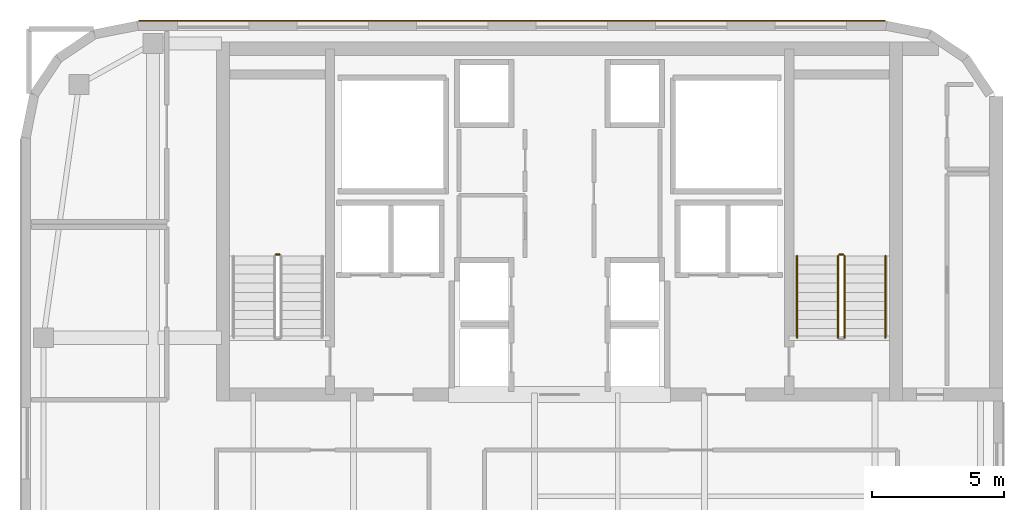
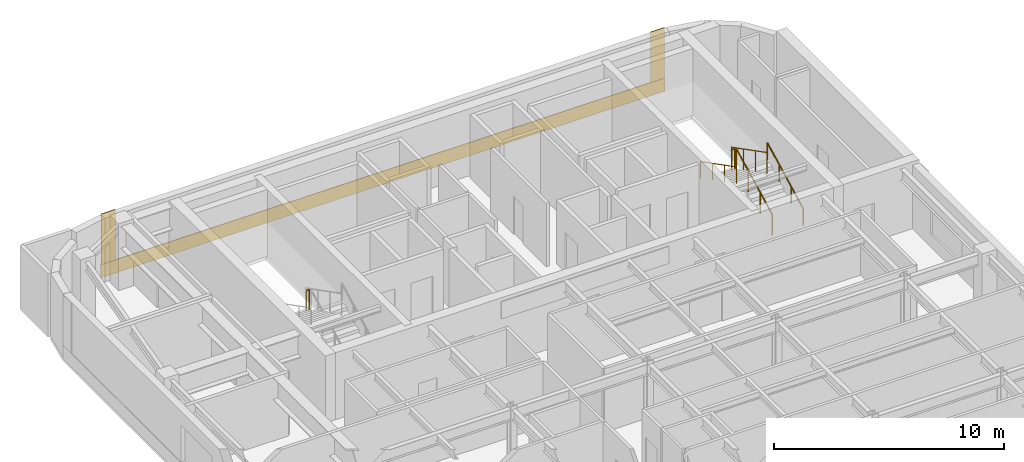
# One storey, part 12 of 12: 6 railings, 3 coverings.
"""IFC4 building model written with IfcOpenShell, lengths in metres."""

import ifcopenshell
import ifcopenshell.guid

model = None  # the IFC model being written
_history = None  # IfcOwnerHistory: only IFC2X3 demands one
_inside = {}  # id of a spatial element -> (the spatial element, [elements in it])
_under = {}  # id of a project, library or spatial element -> (it, [spatial elements below it])
_declared = {}  # id of a project -> (the project, [libraries it declares])
_typed = {}  # id of a type object -> (the type object, [elements of that type])
_made_of = {}  # id of a material, layer set ... -> (it, [elements and type objects made of it])


def new_model(schema):
    """Start an empty IFC model of exactly this schema.

    Asked for "IFC4X3", IfcOpenShell would pick the latest addendum, in which some entities
    have other attributes; the version numbers below select the first issue.
    IFC2X3 requires an IfcOwnerHistory on every rooted entity: one is made here for all.
    """
    global model, _history
    if schema == "IFC4X3":
        model = ifcopenshell.file(schema_version=(4, 3, 0, 0))
    else:
        model = ifcopenshell.file(schema=schema)
    _inside.clear()
    _under.clear()
    _declared.clear()
    _typed.clear()
    _made_of.clear()
    _history = None
    if model.schema == "IFC2X3":
        org = make("IfcOrganization", Name="unknown")
        user = make(
            "IfcPersonAndOrganization",
            ThePerson=make("IfcPerson", FamilyName="unknown"),
            TheOrganization=org,
        )
        app = make(
            "IfcApplication",
            ApplicationDeveloper=org,
            Version="unknown",
            ApplicationFullName="unknown",
            ApplicationIdentifier="unknown",
        )
        _history = make(
            "IfcOwnerHistory",
            OwningUser=user,
            OwningApplication=app,
            ChangeAction="ADDED",
            CreationDate=0,
        )
    return model


def make(cls, **values):
    """One entity of the class cls with the attributes given. An attribute that is None is left unset."""
    return model.create_entity(
        cls, **{name: value for name, value in values.items() if value is not None}
    )


def rooted(cls, **values):
    """An entity with a GlobalId (a new one), such as an element, a storey or a relation."""
    return make(cls, GlobalId=ifcopenshell.guid.new(), OwnerHistory=_history, **values)


def si_unit(unit_type, name, prefix=None):
    """IfcSIUnit, for example si_unit("LENGTHUNIT", "METRE", prefix="MILLI")."""
    return make("IfcSIUnit", UnitType=unit_type, Prefix=prefix, Name=name)


def assignment(units):
    """IfcUnitAssignment: the units of a project."""
    return None if units is None else make("IfcUnitAssignment", Units=units)


def point(xyz):
    """IfcCartesianPoint."""
    return None if xyz is None else make("IfcCartesianPoint", Coordinates=xyz)


def direction(xyz):
    """IfcDirection."""
    return None if xyz is None else make("IfcDirection", DirectionRatios=xyz)


def frame(location, z_axis=None, x_axis=None):
    """IfcAxis2Placement3D, a coordinate frame: its origin and axes. An axis left out is left unset."""
    return make(
        "IfcAxis2Placement3D",
        Location=point(location),
        Axis=direction(z_axis),
        RefDirection=direction(x_axis),
    )


def frame_2d(location, x_axis=None):
    """IfcAxis2Placement2D, a coordinate frame in the plane: its origin and x axis."""
    return make(
        "IfcAxis2Placement2D", Location=point(location), RefDirection=direction(x_axis)
    )


def origin():
    """The frame at (0, 0, 0) with its axes left unset."""
    return frame((0.0, 0.0, 0.0))


def origin_2d():
    """The frame at (0, 0) in the plane with its x axis left unset."""
    return frame_2d((0.0, 0.0))


def place(relative_to, where):
    """IfcLocalPlacement: puts the frame where relative to a parent placement (None: the world)."""
    return make(
        "IfcLocalPlacement", PlacementRelTo=relative_to, RelativePlacement=where
    )


def context(
    kind, dimensions, precision=None, world=None, true_north=None, identifier=None
):
    """IfcGeometricRepresentationContext, for example the 3D "Model" context."""
    return make(
        "IfcGeometricRepresentationContext",
        ContextIdentifier=identifier,
        ContextType=kind,
        CoordinateSpaceDimension=dimensions,
        Precision=precision,
        WorldCoordinateSystem=world,
        TrueNorth=true_north,
    )


def subcontext(parent, identifier, kind, view, scale=None):
    """IfcGeometricRepresentationSubContext, for example "Body" below "Model"."""
    return make(
        "IfcGeometricRepresentationSubContext",
        ContextIdentifier=identifier,
        ContextType=kind,
        ParentContext=parent,
        TargetScale=scale,
        TargetView=view,
    )


def project(units=None, contexts=None):
    """IfcProject with its units and contexts."""
    return rooted(
        "IfcProject",
        Name="project",
        RepresentationContexts=contexts,
        UnitsInContext=assignment(units),
    )


def spatial(cls, under=None, at=None, **own):
    """A site, building, storey or space (cls), placed at a placement, below another one or the project."""
    s = rooted(cls, ObjectPlacement=at, **own)
    if under is not None:
        _under.setdefault(under.id(), (under, []))[1].append(s)
    return s


def polyline(points):
    """IfcPolyline through the points."""
    return make("IfcPolyline", Points=[point(p) for p in points])


def profile(cls, at=None, kind="AREA", **sizes):
    """A parametric profile (cls). Its sizes go by their IFC names, for example OverallWidth=200.0."""
    return make(cls, ProfileType=kind, Position=at, **sizes)


def circle(**sizes):
    """IfcCircleProfileDef."""
    return profile("IfcCircleProfileDef", **sizes)


def outline(outer, holes=None, kind="AREA"):
    """IfcArbitraryClosedProfileDef: a profile drawn as a closed curve; with holes, ...WithVoids."""
    if holes is None:
        return make("IfcArbitraryClosedProfileDef", ProfileType=kind, OuterCurve=outer)
    return make(
        "IfcArbitraryProfileDefWithVoids",
        ProfileType=kind,
        OuterCurve=outer,
        InnerCurves=holes,
    )


def extrude(swept, where, along, depth):
    """IfcExtrudedAreaSolid: the profile swept, set in the frame where, extruded along a direction by depth."""
    return make(
        "IfcExtrudedAreaSolid",
        SweptArea=swept,
        Position=where,
        ExtrudedDirection=direction(along),
        Depth=depth,
    )


def shape(context_of_items, identifier, shape_type, items):
    """IfcShapeRepresentation: the items that make up one representation, for example the "Body"."""
    return make(
        "IfcShapeRepresentation",
        ContextOfItems=context_of_items,
        RepresentationIdentifier=identifier,
        RepresentationType=shape_type,
        Items=items,
    )


def material(Name=None, Category=None):
    """IfcMaterial."""
    return make("IfcMaterial", Name=Name, Category=Category)


def layer(
    of_material, thickness, ventilated=None, Name=None, Category=None, Priority=None
):
    """IfcMaterialLayer: one layer of a wall or slab, of a material (None: an air gap)."""
    return make(
        "IfcMaterialLayer",
        Material=of_material,
        LayerThickness=thickness,
        IsVentilated=ventilated,
        Name=Name,
        Category=Category,
        Priority=Priority,
    )


def layer_set(layers, Name=None):
    """IfcMaterialLayerSet."""
    return make("IfcMaterialLayerSet", MaterialLayers=layers, LayerSetName=Name)


def made_of(thing, what):
    """Note that an element or type object is made of a material, layer set ...; save() writes the relation."""
    if what is not None:
        _made_of.setdefault(what.id(), (what, []))[1].append(thing)
    return thing


def type_object(cls, material=None, **own):
    """A type object (cls), such as IfcWallType, which elements share."""
    return made_of(rooted(cls, **own), material)


def element(
    cls,
    number,
    at=None,
    inside=None,
    cuts=None,
    type_object=None,
    material=None,
    context=None,
    identifier="Body",
    shape_type=None,
    held_by="IfcProductDefinitionShape",
    body=None,
    shapes=None,
    **own,
):
    """One element of the class cls, such as IfcWall. Its Tag is "e" and its number.

    at: its placement. inside: the storey or other place that contains it. cuts: it is an
    opening in that element (IfcRelVoidsElement). A single representation is given by context,
    identifier, shape_type and body (its items); several are given by shapes. held_by: the class
    of the entity that holds the representations. save() writes the other relations.
    """
    e = rooted(cls, Tag="e%d" % number, ObjectPlacement=at, **own)
    if body is not None:
        shapes = [shape(context, identifier, shape_type, body)]
    if shapes is not None:
        e.Representation = make(held_by, Representations=shapes)
    if inside is not None:
        _inside.setdefault(inside.id(), (inside, []))[1].append(e)
    if cuts is not None:
        rooted(
            "IfcRelVoidsElement", RelatingBuildingElement=cuts, RelatedOpeningElement=e
        )
    if type_object is not None:
        _typed.setdefault(type_object.id(), (type_object, []))[1].append(e)
    return made_of(e, material)


def aggregate(whole, parts):
    """IfcRelAggregates: a whole, such as a stair, and the parts it consists of."""
    return rooted("IfcRelAggregates", RelatingObject=whole, RelatedObjects=parts)


def save(model, path):
    """Write the relations noted so far, then the file.

    IfcRelAggregates (storeys below a building ...), IfcRelContainedInSpatialStructure (elements
    in a storey), IfcRelDefinesByType, IfcRelAssociatesMaterial and IfcRelDeclares: one each for
    every whole, place, type object, material and project.
    """
    for whole, parts in _under.values():
        aggregate(whole, parts)
    for where, things in _inside.values():
        rooted(
            "IfcRelContainedInSpatialStructure",
            RelatedElements=things,
            RelatingStructure=where,
        )
    for kind, things in _typed.values():
        rooted("IfcRelDefinesByType", RelatedObjects=things, RelatingType=kind)
    for what, things in _made_of.values():
        rooted("IfcRelAssociatesMaterial", RelatedObjects=things, RelatingMaterial=what)
    for by, libraries in _declared.values():
        rooted("IfcRelDeclares", RelatingContext=by, RelatedDefinitions=libraries)
    model.write(path)


model = new_model("IFC4")

# Units and contexts
model_context = context("Model", 3, precision=1e-05, world=origin(), true_north=direction((0.0, 1.0)))
body_context = subcontext(model_context, "Body", "Model", "MODEL_VIEW")
ifc_project = project(units=[si_unit("LENGTHUNIT", "METRE"), si_unit("AREAUNIT", "SQUARE_METRE"), si_unit("VOLUMEUNIT", "CUBIC_METRE"), si_unit("PLANEANGLEUNIT", "RADIAN"), si_unit("MASSUNIT", "GRAM", prefix="KILO")], contexts=[model_context])

# Site, building, storey
site_placement = place(None, origin())
site = spatial("IfcSite", under=ifc_project, at=site_placement, CompositionType="ELEMENT")
building_placement = place(site_placement, origin())
building = spatial("IfcBuilding", under=site, at=building_placement, Name="Tolvann Quenvar Hotel", CompositionType="ELEMENT")
storey_placement = place(building_placement, frame((0.0, 0.0, 213.25)))
storey = spatial("IfcBuildingStorey", under=building, at=storey_placement, Name="L56", CompositionType="ELEMENT", Elevation=213.25)

# Coverings
ifc_material_1 = material(Name="Kiln-fired red architectural face brick cladding", Category="masonry")
ifc_layer_1 = layer(ifc_material_1, 0.0400390625)
ifc_layer_set_1 = layer_set([ifc_layer_1], Name="Kiln-fired red architectural face brick cladding")
covering_type_1 = type_object("IfcCoveringType", Name="COV_CLAD_BRICK_40", PredefinedType="CLADDING", material=ifc_layer_set_1)
covering_1_placement = place(storey_placement, frame((0.0, 0.0, 0.699951171875)))
element("IfcCovering", 1, at=covering_1_placement, inside=storey, type_object=covering_type_1, Name="Brick Pier Cladding (L56-E14-P1)", PredefinedType="CLADDING", context=body_context, shape_type="SweptSolid", body=[
    extrude(outline(polyline([(35.332763671875, 46.0), (34.6328125, 46.0), (34.6328125, 46.0400390625), (35.332763671875, 46.0400390625), (35.332763671875, 46.0)])), origin(), (0.0, 0.0, 1.0), 2.670166015625),
])
covering_2_placement = place(storey_placement, frame((0.0, 0.0, 0.699951171875)))
element("IfcCovering", 2, at=covering_2_placement, inside=storey, type_object=covering_type_1, Name="Brick Pier Cladding (L56-E14-P2)", PredefinedType="CLADDING", context=body_context, shape_type="SweptSolid", body=[
    extrude(outline(polyline([(7.76708984375, 46.0), (7.067138671875, 46.0), (7.067138671875, 46.0400390625), (7.76708984375, 46.0400390625), (7.76708984375, 46.0)])), origin(), (0.0, 0.0, 1.0), 2.670166015625),
])
ifc_material_2 = material(Name="Moulded buff architectural terracotta spandrel cladding", Category="masonry")
ifc_layer_2 = layer(ifc_material_2, 0.0400390625)
ifc_layer_set_2 = layer_set([ifc_layer_2], Name="Moulded buff architectural terracotta spandrel cladding")
covering_type_2 = type_object("IfcCoveringType", Name="COV_CLAD_TERRA_40", PredefinedType="CLADDING", material=ifc_layer_set_2)
covering_3_placement = place(storey_placement, origin())
element("IfcCovering", 3, at=covering_3_placement, inside=storey, type_object=covering_type_2, Name="Terracotta Spandrel Cladding (L56-E14)", PredefinedType="CLADDING", context=body_context, shape_type="SweptSolid", body=[
    extrude(outline(polyline([(35.3427734375, 46.0), (7.05712890625, 46.0), (7.05712890625, 46.0400390625), (35.3427734375, 46.0400390625), (35.3427734375, 46.0)])), origin(), (0.0, 0.0, 1.0), 0.699951171875),
])

# Railings
ifc_material_3 = material(Name="Brushed 316 stainless steel balustrade and handrail", Category="steel")
railing_type_1 = type_object("IfcRailingType", Name="GUARDRAIL", PredefinedType="GUARDRAIL", material=ifc_material_3)
railing_1_placement = place(storey_placement, frame((12.39990234375, 37.155029296875, 1.77490234375)))
element("IfcRailing", 4, at=railing_1_placement, inside=storey, type_object=railing_type_1, Name="L56 ST-C1 stair guard 2", PredefinedType="GUARDRAIL", context=body_context, shape_type="SweptSolid", body=[
    extrude(circle(Radius=0.02392578125, at=origin_2d()), frame((0.0, 0.0, 1.09619140625), z_axis=(-1.0, 0.0, 0.0), x_axis=(0.0, -1.0, 0.0)), (0.0, 0.0, 1.0), 0.14990234375),
    extrude(circle(Radius=0.02099609375, at=origin_2d()), origin(), (0.0, 0.0, 1.0), 1.072021484375),
    extrude(circle(Radius=0.02099609375, at=origin_2d()), frame((-0.14990234375, 0.0, 0.0)), (0.0, 0.0, 1.0), 1.072021484375),
])
railing_2_placement = place(storey_placement, frame((33.800048828125, 34.0, 0.177490234375)))
element("IfcRailing", 5, at=railing_2_placement, inside=storey, type_object=railing_type_1, Name="L56 ST-C2 stair guard 1", PredefinedType="GUARDRAIL", context=body_context, shape_type="SweptSolid", body=[
    extrude(circle(Radius=0.02392578125, at=origin_2d()), frame((0.0, 0.0, 1.09619140625), z_axis=(0.0, 0.889221982265, 0.45747597342), x_axis=(-1.0, 0.0, 0.0)), (0.0, 0.0, 1.0), 3.49169921875),
    extrude(circle(Radius=0.02099609375, at=origin_2d()), origin(), (0.0, 0.0, 1.0), 1.072021484375),
    extrude(circle(Radius=0.02099609375, at=origin_2d()), frame((0.0, 1.034912109375, 0.532470703125)), (0.0, 0.0, 1.0), 1.072021484375),
    extrude(circle(Radius=0.02099609375, at=origin_2d()), frame((0.0, 2.070068359375, 1.06494140625)), (0.0, 0.0, 1.0), 1.072021484375),
    extrude(circle(Radius=0.02099609375, at=origin_2d()), frame((0.0, 3.10498046875, 1.597412109375)), (0.0, 0.0, 1.0), 1.072021484375),
])
railing_3_placement = place(storey_placement, frame((33.75, 37.155029296875, 1.77490234375)))
element("IfcRailing", 6, at=railing_3_placement, inside=storey, type_object=railing_type_1, Name="L56 ST-C2 stair guard 2", PredefinedType="GUARDRAIL", context=body_context, shape_type="SweptSolid", body=[
    extrude(circle(Radius=0.02392578125, at=origin_2d()), frame((0.0, 0.0, 1.09619140625), z_axis=(-1.0, 0.0, 0.0), x_axis=(0.0, -1.0, 0.0)), (0.0, 0.0, 1.0), 0.14990234375),
    extrude(circle(Radius=0.02099609375, at=origin_2d()), origin(), (0.0, 0.0, 1.0), 1.072021484375),
    extrude(circle(Radius=0.02099609375, at=origin_2d()), frame((-0.14990234375, 0.0, 0.0)), (0.0, 0.0, 1.0), 1.072021484375),
])
railing_4_placement = place(storey_placement, frame((33.550048828125, 37.10498046875, 1.952392578125)))
element("IfcRailing", 7, at=railing_4_placement, inside=storey, type_object=railing_type_1, Name="L56 ST-C2 stair guard 3", PredefinedType="GUARDRAIL", context=body_context, shape_type="SweptSolid", body=[
    extrude(circle(Radius=0.02392578125, at=origin_2d()), frame((0.0, 0.0, 1.09619140625), z_axis=(0.0, -0.88919353882, 0.457531256332), x_axis=(1.0, 0.0, 0.0)), (0.0, 0.0, 1.0), 3.491943359375),
    extrude(circle(Radius=0.02099609375, at=origin_2d()), origin(), (0.0, 0.0, 1.0), 1.072021484375),
    extrude(circle(Radius=0.02099609375, at=origin_2d()), frame((0.0, -1.034912109375, 0.532470703125)), (0.0, 0.0, 1.0), 1.072021484375),
    extrude(circle(Radius=0.02099609375, at=origin_2d()), frame((0.0, -2.070068359375, 1.065185546875)), (0.0, 0.0, 1.0), 1.072021484375),
    extrude(circle(Radius=0.02099609375, at=origin_2d()), frame((0.0, -3.10498046875, 1.59765625)), (0.0, 0.0, 1.0), 1.072021484375),
])
railing_type_2 = type_object("IfcRailingType", Name="HANDRAIL", PredefinedType="HANDRAIL", material=ifc_material_3)
railing_5_placement = place(storey_placement, frame((35.35009765625, 34.0, 0.177490234375)))
element("IfcRailing", 8, at=railing_5_placement, inside=storey, type_object=railing_type_2, Name="L56 ST-C2 stair handrail 1", PredefinedType="HANDRAIL", context=body_context, shape_type="SweptSolid", body=[
    extrude(circle(Radius=0.02392578125, at=origin_2d()), frame((0.0, 0.0, 0.8759765625), z_axis=(0.0, 0.889221982265, 0.45747597342), x_axis=(-1.0, 0.0, 0.0)), (0.0, 0.0, 1.0), 3.49169921875),
    extrude(circle(Radius=0.02099609375, at=origin_2d()), origin(), (0.0, 0.0, 1.0), 0.851806640625),
    extrude(circle(Radius=0.02099609375, at=origin_2d()), frame((0.0, 1.034912109375, 0.532470703125)), (0.0, 0.0, 1.0), 0.851806640625),
    extrude(circle(Radius=0.02099609375, at=origin_2d()), frame((0.0, 2.070068359375, 1.06494140625)), (0.0, 0.0, 1.0), 0.851806640625),
    extrude(circle(Radius=0.02099609375, at=origin_2d()), frame((0.0, 3.10498046875, 1.597412109375)), (0.0, 0.0, 1.0), 0.851806640625),
])
railing_6_placement = place(storey_placement, frame((32.0, 37.10498046875, 1.952392578125)))
element("IfcRailing", 9, at=railing_6_placement, inside=storey, type_object=railing_type_2, Name="L56 ST-C2 stair handrail 2", PredefinedType="HANDRAIL", context=body_context, shape_type="SweptSolid", body=[
    extrude(circle(Radius=0.02392578125, at=origin_2d()), frame((0.0, 0.0, 0.8759765625), z_axis=(0.0, -0.88919353882, 0.457531256332), x_axis=(1.0, 0.0, 0.0)), (0.0, 0.0, 1.0), 3.491943359375),
    extrude(circle(Radius=0.02099609375, at=origin_2d()), origin(), (0.0, 0.0, 1.0), 0.851806640625),
    extrude(circle(Radius=0.02099609375, at=origin_2d()), frame((0.0, -1.034912109375, 0.532470703125)), (0.0, 0.0, 1.0), 0.851806640625),
    extrude(circle(Radius=0.02099609375, at=origin_2d()), frame((0.0, -2.070068359375, 1.065185546875)), (0.0, 0.0, 1.0), 0.851806640625),
    extrude(circle(Radius=0.02099609375, at=origin_2d()), frame((0.0, -3.10498046875, 1.59765625)), (0.0, 0.0, 1.0), 0.851806640625),
])

save(model, "model.ifc")
